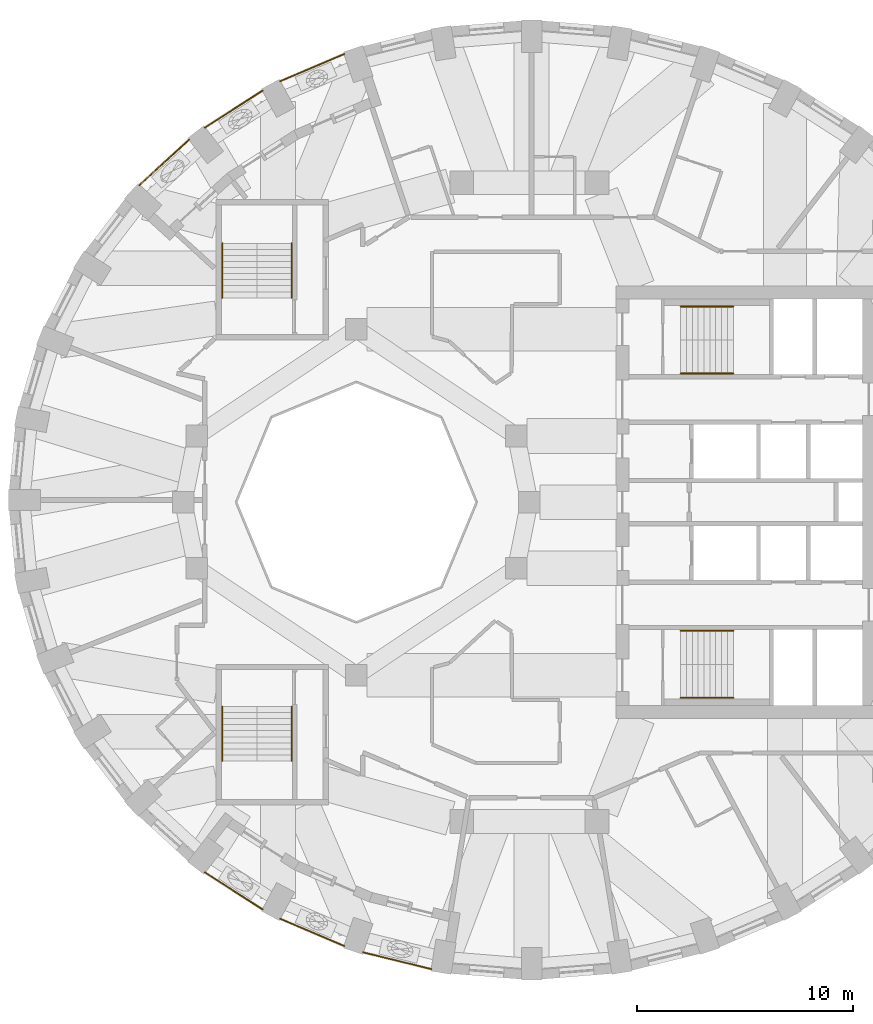
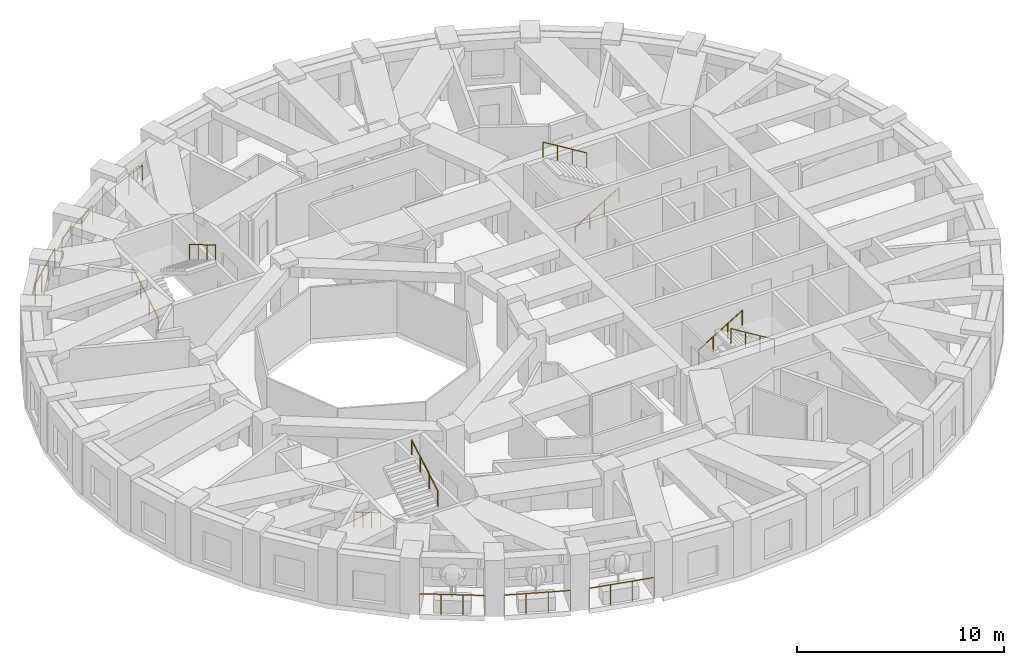
# One storey, part 10 of 12: 14 railings.
"""IFC4 building model written with IfcOpenShell, lengths in metres."""

from ifc_helpers import new_model, si_unit, direction, frame, origin, origin_2d, place, context, subcontext, project, spatial, circle, extrude, material, type_object, element, save


model = new_model("IFC4")

# Units and contexts
model_context = context("Model", 3, precision=1e-05, world=origin(), true_north=direction((0.0, 1.0)))
body_context = subcontext(model_context, "Body", "Model", "MODEL_VIEW")
ifc_project = project(units=[si_unit("LENGTHUNIT", "METRE"), si_unit("AREAUNIT", "SQUARE_METRE"), si_unit("VOLUMEUNIT", "CUBIC_METRE"), si_unit("PLANEANGLEUNIT", "RADIAN"), si_unit("MASSUNIT", "GRAM", prefix="KILO")], contexts=[model_context])

# Site, building, storey
site_placement = place(None, origin())
site = spatial("IfcSite", under=ifc_project, at=site_placement, CompositionType="ELEMENT")
building_placement = place(site_placement, origin())
building = spatial("IfcBuilding", under=site, at=building_placement, Name="Taillehof Tower", CompositionType="ELEMENT")
storey_placement = place(building_placement, frame((0.0, 0.0, 164.89990234375)))
storey = spatial("IfcBuildingStorey", under=building, at=storey_placement, Name="L46", CompositionType="ELEMENT", Elevation=164.89990234375)

# Railings
ifc_material_1 = material(Name="Stainless steel balustrade", Category="steel")
railing_type_1 = type_object("IfcRailingType", Name="Balcony guard 1200", PredefinedType="GUARDRAIL", material=ifc_material_1)
railing_1_placement = place(storey_placement, frame((-8.558837890625, 20.7314453125, 0.0)))
element("IfcRailing", 1, at=railing_1_placement, inside=storey, type_object=railing_type_1, Name="Balcony guard L46 bay 12", PredefinedType="GUARDRAIL", context=body_context, shape_type="SweptSolid", body=[
    extrude(circle(Radius=0.02392578125, at=origin_2d()), frame((0.0, 0.0, 1.17578125), z_axis=(-0.919824392668, -0.39233032849, 0.0), x_axis=(0.39233032849, -0.919824392668, 0.0)), (0.0, 0.0, 1.0), 3.227783203125),
    extrude(circle(Radius=0.02099609375, at=origin_2d()), origin(), (0.0, 0.0, 1.0), 1.15185546875),
    extrude(circle(Radius=0.02099609375, at=origin_2d()), frame((-0.98974609375, -0.422119140625, 0.0)), (0.0, 0.0, 1.0), 1.15185546875),
    extrude(circle(Radius=0.02099609375, at=origin_2d()), frame((-1.979248046875, -0.84423828125, 0.0)), (0.0, 0.0, 1.0), 1.15185546875),
    extrude(circle(Radius=0.02099609375, at=origin_2d()), frame((-2.968994140625, -1.266357421875, 0.0)), (0.0, 0.0, 1.0), 1.15185546875),
])
railing_2_placement = place(storey_placement, frame((-12.332275390625, 19.03955078125, 0.0)))
element("IfcRailing", 2, at=railing_2_placement, inside=storey, type_object=railing_type_1, Name="Balcony guard L46 bay 13", PredefinedType="GUARDRAIL", context=body_context, shape_type="SweptSolid", body=[
    extrude(circle(Radius=0.02392578125, at=origin_2d()), frame((0.0, 0.0, 1.17578125), z_axis=(-0.842070522293, -0.539367440141, 0.0), x_axis=(0.539367440141, -0.842070522293, 0.0)), (0.0, 0.0, 1.0), 3.179443359375),
    extrude(circle(Radius=0.02099609375, at=origin_2d()), origin(), (0.0, 0.0, 1.0), 1.15185546875),
    extrude(circle(Radius=0.02099609375, at=origin_2d()), frame((-0.892333984375, -0.571533203125, 0.0)), (0.0, 0.0, 1.0), 1.15185546875),
    extrude(circle(Radius=0.02099609375, at=origin_2d()), frame((-1.784912109375, -1.143310546875, 0.0)), (0.0, 0.0, 1.0), 1.15185546875),
    extrude(circle(Radius=0.02099609375, at=origin_2d()), frame((-2.67724609375, -1.71484375, 0.0)), (0.0, 0.0, 1.0), 1.15185546875),
])
railing_3_placement = place(storey_placement, frame((-15.731201171875, 16.77001953125, 0.0)))
element("IfcRailing", 3, at=railing_3_placement, inside=storey, type_object=railing_type_1, Name="Balcony guard L46 bay 14", PredefinedType="GUARDRAIL", context=body_context, shape_type="SweptSolid", body=[
    extrude(circle(Radius=0.02392578125, at=origin_2d()), frame((0.0, 0.0, 1.17578125), z_axis=(-0.737792988056, -0.675027041514, 0.0), x_axis=(0.675027041514, -0.737792988056, 0.0)), (0.0, 0.0, 1.0), 3.12353515625),
    extrude(circle(Radius=0.02099609375, at=origin_2d()), origin(), (0.0, 0.0, 1.0), 1.15185546875),
    extrude(circle(Radius=0.02099609375, at=origin_2d()), frame((-0.76806640625, -0.702880859375, 0.0)), (0.0, 0.0, 1.0), 1.15185546875),
    extrude(circle(Radius=0.02099609375, at=origin_2d()), frame((-1.536376953125, -1.405517578125, 0.0)), (0.0, 0.0, 1.0), 1.15185546875),
    extrude(circle(Radius=0.02099609375, at=origin_2d()), frame((-2.304443359375, -2.1083984375, 0.0)), (0.0, 0.0, 1.0), 1.15185546875),
])
railing_4_placement = place(storey_placement, frame((-15.009521484375, -17.12451171875, 0.0)))
element("IfcRailing", 4, at=railing_4_placement, inside=storey, type_object=railing_type_1, Name="Balcony guard L46 bay 24", PredefinedType="GUARDRAIL", context=body_context, shape_type="SweptSolid", body=[
    extrude(circle(Radius=0.02392578125, at=origin_2d()), frame((0.0, 0.0, 1.17578125), z_axis=(0.842035645436, -0.539421886667, 0.0), x_axis=(0.539421886667, 0.842035645436, 0.0)), (0.0, 0.0, 1.0), 3.179443359375),
    extrude(circle(Radius=0.02099609375, at=origin_2d()), origin(), (0.0, 0.0, 1.0), 1.15185546875),
    extrude(circle(Radius=0.02099609375, at=origin_2d()), frame((0.892333984375, -0.57177734375, 0.0)), (0.0, 0.0, 1.0), 1.15185546875),
    extrude(circle(Radius=0.02099609375, at=origin_2d()), frame((1.784912109375, -1.143310546875, 0.0)), (0.0, 0.0, 1.0), 1.15185546875),
    extrude(circle(Radius=0.02099609375, at=origin_2d()), frame((2.67724609375, -1.715087890625, 0.0)), (0.0, 0.0, 1.0), 1.15185546875),
])
railing_5_placement = place(storey_placement, frame((-11.52783203125, -19.264892578125, 0.0)))
element("IfcRailing", 5, at=railing_5_placement, inside=storey, type_object=railing_type_1, Name="Balcony guard L46 bay 25", PredefinedType="GUARDRAIL", context=body_context, shape_type="SweptSolid", body=[
    extrude(circle(Radius=0.02392578125, at=origin_2d()), frame((0.0, 0.0, 1.17578125), z_axis=(0.919797095665, -0.392394320558, 0.0), x_axis=(0.392394320558, 0.919797095665, 0.0)), (0.0, 0.0, 1.0), 3.227783203125),
    extrude(circle(Radius=0.02099609375, at=origin_2d()), origin(), (0.0, 0.0, 1.0), 1.15185546875),
    extrude(circle(Radius=0.02099609375, at=origin_2d()), frame((0.98974609375, -0.422119140625, 0.0)), (0.0, 0.0, 1.0), 1.15185546875),
    extrude(circle(Radius=0.02099609375, at=origin_2d()), frame((1.979248046875, -0.844482421875, 0.0)), (0.0, 0.0, 1.0), 1.15185546875),
    extrude(circle(Radius=0.02099609375, at=origin_2d()), frame((2.968994140625, -1.2666015625, 0.0)), (0.0, 0.0, 1.0), 1.15185546875),
])
railing_6_placement = place(storey_placement, frame((-7.6953125, -20.8193359375, 0.0)))
element("IfcRailing", 6, at=railing_6_placement, inside=storey, type_object=railing_type_1, Name="Balcony guard L46 bay 26", PredefinedType="GUARDRAIL", context=body_context, shape_type="SweptSolid", body=[
    extrude(circle(Radius=0.02392578125, at=origin_2d()), frame((0.0, 0.0, 1.17578125), z_axis=(0.971236963408, -0.238115016139, 0.0), x_axis=(0.238115016139, 0.971236963408, 0.0)), (0.0, 0.0, 1.0), 3.263427734375),
    extrude(circle(Radius=0.02099609375, at=origin_2d()), origin(), (0.0, 0.0, 1.0), 1.15185546875),
    extrude(circle(Radius=0.02099609375, at=origin_2d()), frame((1.056640625, -0.259033203125, 0.0)), (0.0, 0.0, 1.0), 1.15185546875),
    extrude(circle(Radius=0.02099609375, at=origin_2d()), frame((2.113037109375, -0.51806640625, 0.0)), (0.0, 0.0, 1.0), 1.15185546875),
    extrude(circle(Radius=0.02099609375, at=origin_2d()), frame((3.169677734375, -0.777099609375, 0.0)), (0.0, 0.0, 1.0), 1.15185546875),
])
ifc_material_2 = material(Name="Stainless steel", Category="steel")
railing_type_2 = type_object("IfcRailingType", Name="Stair handrail 900", PredefinedType="HANDRAIL", material=ifc_material_2)
railing_7_placement = place(storey_placement, frame((7.0, 5.949951171875, 0.1650390625)))
element("IfcRailing", 7, at=railing_7_placement, inside=storey, type_object=railing_type_2, Name="Stair S1 handrail", PredefinedType="HANDRAIL", context=body_context, shape_type="SweptSolid", body=[
    extrude(circle(Radius=0.02392578125, at=origin_2d()), frame((0.0, 0.0, 0.8759765625), z_axis=(0.853258522278, 0.0, 0.521488153423), x_axis=(0.0, 1.0, 0.0)), (0.0, 0.0, 1.0), 2.847900390625),
    extrude(circle(Radius=0.02099609375, at=origin_2d()), origin(), (0.0, 0.0, 1.0), 0.851806640625),
    extrude(circle(Radius=0.02099609375, at=origin_2d()), frame((0.81005859375, 0.0, 0.4951171875)), (0.0, 0.0, 1.0), 0.851806640625),
    extrude(circle(Radius=0.02099609375, at=origin_2d()), frame((1.619873046875, 0.0, 0.989990234375)), (0.0, 0.0, 1.0), 0.851806640625),
    extrude(circle(Radius=0.02099609375, at=origin_2d()), frame((2.429931640625, 0.0, 1.485107421875)), (0.0, 0.0, 1.0), 0.851806640625),
])
railing_8_placement = place(storey_placement, frame((9.429931640625, 9.050048828125, 1.815185546875)))
element("IfcRailing", 8, at=railing_8_placement, inside=storey, type_object=railing_type_2, Name="Stair S1 handrail", PredefinedType="HANDRAIL", context=body_context, shape_type="SweptSolid", body=[
    extrude(circle(Radius=0.02392578125, at=origin_2d()), frame((0.0, 0.0, 0.8759765625), z_axis=(-0.853296667938, 0.0, 0.521425734392), x_axis=(0.0, -1.0, 0.0)), (0.0, 0.0, 1.0), 2.84765625),
    extrude(circle(Radius=0.02099609375, at=origin_2d()), origin(), (0.0, 0.0, 1.0), 0.851806640625),
    extrude(circle(Radius=0.02099609375, at=origin_2d()), frame((-0.81005859375, 0.0, 0.494873046875)), (0.0, 0.0, 1.0), 0.851806640625),
    extrude(circle(Radius=0.02099609375, at=origin_2d()), frame((-1.619873046875, 0.0, 0.989990234375)), (0.0, 0.0, 1.0), 0.851806640625),
    extrude(circle(Radius=0.02099609375, at=origin_2d()), frame((-2.429931640625, 0.0, 1.48486328125)), (0.0, 0.0, 1.0), 0.851806640625),
])
railing_9_placement = place(storey_placement, frame((7.0, -5.949951171875, 0.1650390625)))
element("IfcRailing", 9, at=railing_9_placement, inside=storey, type_object=railing_type_2, Name="Stair S2 handrail", PredefinedType="HANDRAIL", context=body_context, shape_type="SweptSolid", body=[
    extrude(circle(Radius=0.02392578125, at=origin_2d()), frame((0.0, 0.0, 0.8759765625), z_axis=(0.853258522278, 0.0, 0.521488153423), x_axis=(0.0, 1.0, 0.0)), (0.0, 0.0, 1.0), 2.847900390625),
    extrude(circle(Radius=0.02099609375, at=origin_2d()), origin(), (0.0, 0.0, 1.0), 0.851806640625),
    extrude(circle(Radius=0.02099609375, at=origin_2d()), frame((0.81005859375, 0.0, 0.4951171875)), (0.0, 0.0, 1.0), 0.851806640625),
    extrude(circle(Radius=0.02099609375, at=origin_2d()), frame((1.619873046875, 0.0, 0.989990234375)), (0.0, 0.0, 1.0), 0.851806640625),
    extrude(circle(Radius=0.02099609375, at=origin_2d()), frame((2.429931640625, 0.0, 1.485107421875)), (0.0, 0.0, 1.0), 0.851806640625),
])
railing_10_placement = place(storey_placement, frame((9.429931640625, -9.050048828125, 1.815185546875)))
element("IfcRailing", 10, at=railing_10_placement, inside=storey, type_object=railing_type_2, Name="Stair S2 handrail", PredefinedType="HANDRAIL", context=body_context, shape_type="SweptSolid", body=[
    extrude(circle(Radius=0.02392578125, at=origin_2d()), frame((0.0, 0.0, 0.8759765625), z_axis=(-0.853296667938, 0.0, 0.521425734392), x_axis=(0.0, -1.0, 0.0)), (0.0, 0.0, 1.0), 2.84765625),
    extrude(circle(Radius=0.02099609375, at=origin_2d()), origin(), (0.0, 0.0, 1.0), 0.851806640625),
    extrude(circle(Radius=0.02099609375, at=origin_2d()), frame((-0.81005859375, 0.0, 0.494873046875)), (0.0, 0.0, 1.0), 0.851806640625),
    extrude(circle(Radius=0.02099609375, at=origin_2d()), frame((-1.619873046875, 0.0, 0.989990234375)), (0.0, 0.0, 1.0), 0.851806640625),
    extrude(circle(Radius=0.02099609375, at=origin_2d()), frame((-2.429931640625, 0.0, 1.48486328125)), (0.0, 0.0, 1.0), 0.851806640625),
])
railing_11_placement = place(storey_placement, frame((-14.199951171875, 9.449951171875, 0.1650390625)))
element("IfcRailing", 11, at=railing_11_placement, inside=storey, type_object=railing_type_2, Name="Stair S3 handrail", PredefinedType="HANDRAIL", context=body_context, shape_type="SweptSolid", body=[
    extrude(circle(Radius=0.02392578125, at=origin_2d()), frame((0.0, 0.0, 0.8759765625), z_axis=(0.0, 0.86152411907, 0.507716645641), x_axis=(-1.0, 0.0, 0.0)), (0.0, 0.0, 1.0), 2.925048828125),
    extrude(circle(Radius=0.02099609375, at=origin_2d()), origin(), (0.0, 0.0, 1.0), 0.851806640625),
    extrude(circle(Radius=0.02099609375, at=origin_2d()), frame((0.0, 0.840087890625, 0.4951171875)), (0.0, 0.0, 1.0), 0.851806640625),
    extrude(circle(Radius=0.02099609375, at=origin_2d()), frame((0.0, 1.679931640625, 0.989990234375)), (0.0, 0.0, 1.0), 0.851806640625),
    extrude(circle(Radius=0.02099609375, at=origin_2d()), frame((0.0, 2.52001953125, 1.485107421875)), (0.0, 0.0, 1.0), 0.851806640625),
])
railing_12_placement = place(storey_placement, frame((-11.0, 11.969970703125, 1.815185546875)))
element("IfcRailing", 12, at=railing_12_placement, inside=storey, type_object=railing_type_2, Name="Stair S3 handrail", PredefinedType="HANDRAIL", context=body_context, shape_type="SweptSolid", body=[
    extrude(circle(Radius=0.02392578125, at=origin_2d()), frame((0.0, 0.0, 0.8759765625), z_axis=(0.0, -0.861560626758, 0.507654692109), x_axis=(1.0, 0.0, 0.0)), (0.0, 0.0, 1.0), 2.925048828125),
    extrude(circle(Radius=0.02099609375, at=origin_2d()), origin(), (0.0, 0.0, 1.0), 0.851806640625),
    extrude(circle(Radius=0.02099609375, at=origin_2d()), frame((0.0, -0.840087890625, 0.494873046875)), (0.0, 0.0, 1.0), 0.851806640625),
    extrude(circle(Radius=0.02099609375, at=origin_2d()), frame((0.0, -1.679931640625, 0.989990234375)), (0.0, 0.0, 1.0), 0.851806640625),
    extrude(circle(Radius=0.02099609375, at=origin_2d()), frame((0.0, -2.52001953125, 1.48486328125)), (0.0, 0.0, 1.0), 0.851806640625),
])
railing_13_placement = place(storey_placement, frame((-14.199951171875, -9.449951171875, 0.1650390625)))
element("IfcRailing", 13, at=railing_13_placement, inside=storey, type_object=railing_type_2, Name="Stair S4 handrail", PredefinedType="HANDRAIL", context=body_context, shape_type="SweptSolid", body=[
    extrude(circle(Radius=0.02392578125, at=origin_2d()), frame((0.0, 0.0, 0.8759765625), z_axis=(0.0, -0.86152411907, 0.507716645641), x_axis=(1.0, 0.0, 0.0)), (0.0, 0.0, 1.0), 2.925048828125),
    extrude(circle(Radius=0.02099609375, at=origin_2d()), origin(), (0.0, 0.0, 1.0), 0.851806640625),
    extrude(circle(Radius=0.02099609375, at=origin_2d()), frame((0.0, -0.840087890625, 0.4951171875)), (0.0, 0.0, 1.0), 0.851806640625),
    extrude(circle(Radius=0.02099609375, at=origin_2d()), frame((0.0, -1.679931640625, 0.989990234375)), (0.0, 0.0, 1.0), 0.851806640625),
    extrude(circle(Radius=0.02099609375, at=origin_2d()), frame((0.0, -2.52001953125, 1.485107421875)), (0.0, 0.0, 1.0), 0.851806640625),
])
railing_14_placement = place(storey_placement, frame((-11.0, -11.969970703125, 1.815185546875)))
element("IfcRailing", 14, at=railing_14_placement, inside=storey, type_object=railing_type_2, Name="Stair S4 handrail", PredefinedType="HANDRAIL", context=body_context, shape_type="SweptSolid", body=[
    extrude(circle(Radius=0.02392578125, at=origin_2d()), frame((0.0, 0.0, 0.8759765625), z_axis=(0.0, 0.861560626758, 0.507654692109), x_axis=(-1.0, 0.0, 0.0)), (0.0, 0.0, 1.0), 2.925048828125),
    extrude(circle(Radius=0.02099609375, at=origin_2d()), origin(), (0.0, 0.0, 1.0), 0.851806640625),
    extrude(circle(Radius=0.02099609375, at=origin_2d()), frame((0.0, 0.840087890625, 0.494873046875)), (0.0, 0.0, 1.0), 0.851806640625),
    extrude(circle(Radius=0.02099609375, at=origin_2d()), frame((0.0, 1.679931640625, 0.989990234375)), (0.0, 0.0, 1.0), 0.851806640625),
    extrude(circle(Radius=0.02099609375, at=origin_2d()), frame((0.0, 2.52001953125, 1.48486328125)), (0.0, 0.0, 1.0), 0.851806640625),
])

save(model, "model.ifc")
